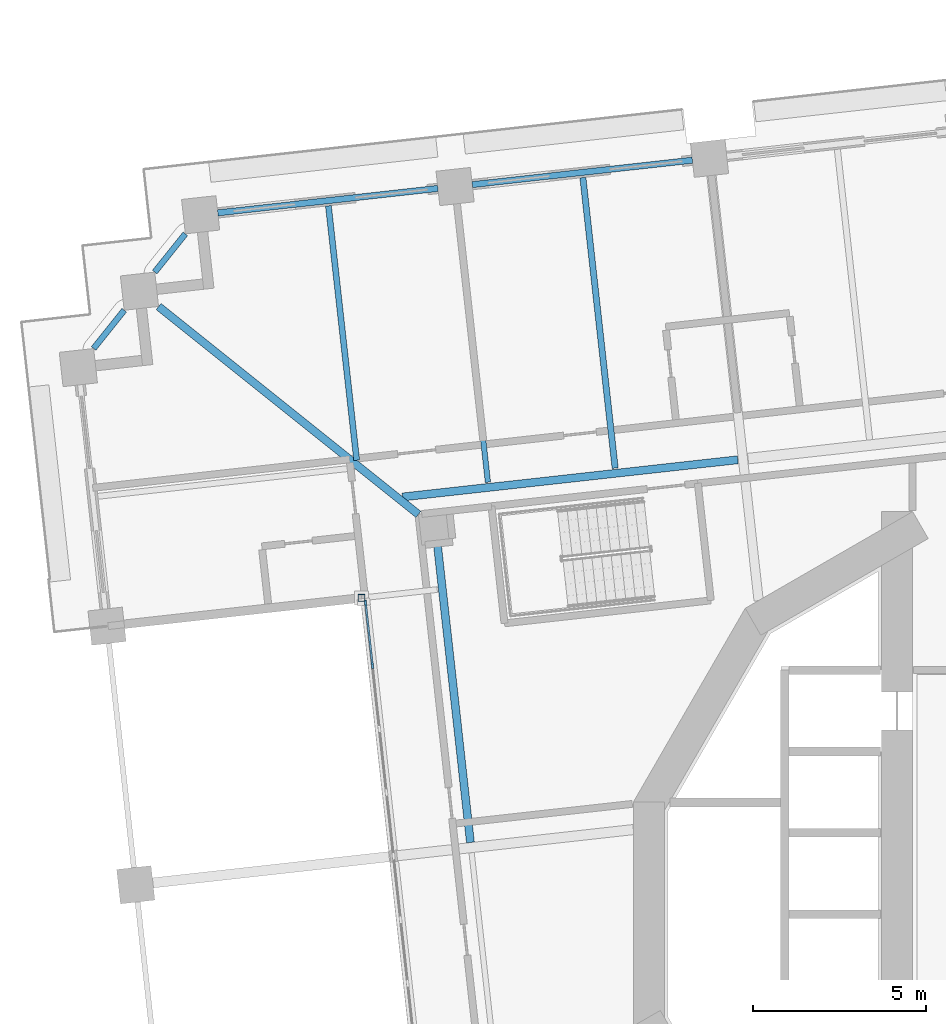
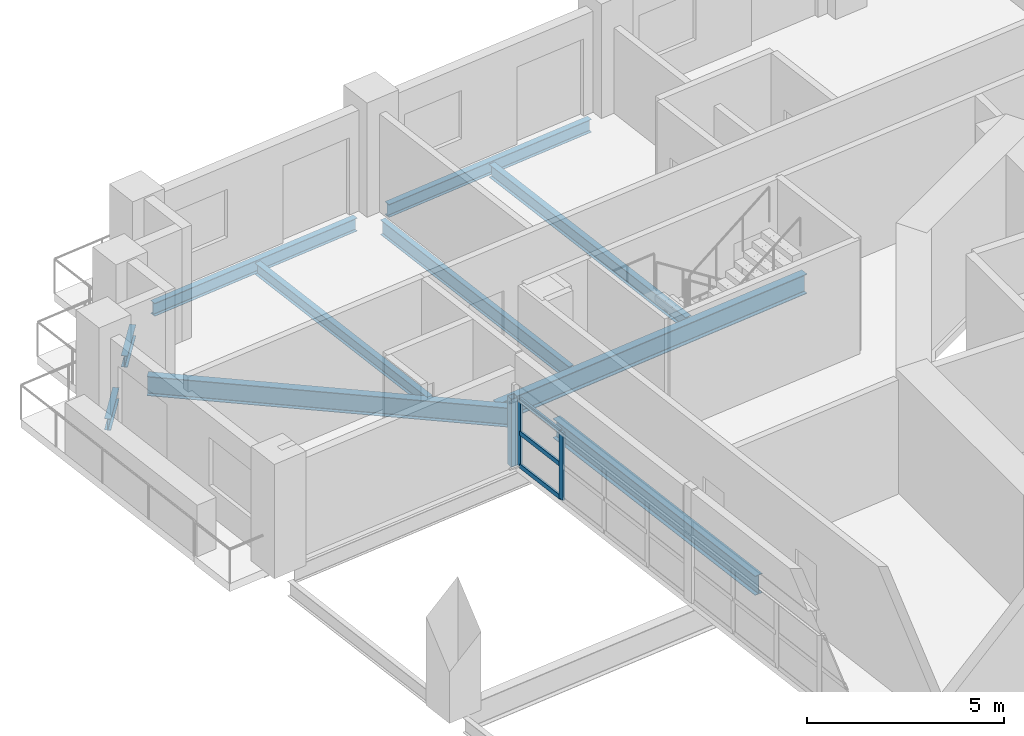
# One storey, part 4 of 21: 10 beams, 6 members, 1 element without a shape of its own.
"""IFC4 building model written with IfcOpenShell, lengths in metres."""

from ifc_helpers import new_model, si_unit, direction, frame, origin, origin_2d, place, context, subcontext, project, spatial, rectangle, hollow_rectangle, i_section, extrude, material, material_profile, profile_set, type_object, element, aggregate, save


model = new_model("IFC4")

# Units and contexts
model_context = context("Model", 3, precision=1e-05, world=origin(), true_north=direction((0.0, 1.0)))
body_context = subcontext(model_context, "Body", "Model", "MODEL_VIEW")
ifc_project = project(units=[si_unit("LENGTHUNIT", "METRE"), si_unit("AREAUNIT", "SQUARE_METRE"), si_unit("VOLUMEUNIT", "CUBIC_METRE"), si_unit("PLANEANGLEUNIT", "RADIAN"), si_unit("MASSUNIT", "GRAM", prefix="KILO")], contexts=[model_context])

# Site, building, storey
site_placement = place(None, origin())
site = spatial("IfcSite", under=ifc_project, at=site_placement, CompositionType="ELEMENT")
building_placement = place(site_placement, origin())
building = spatial("IfcBuilding", under=site, at=building_placement, Name="Cantera Rosa Tower", CompositionType="ELEMENT")
storey_placement = place(building_placement, frame((0.0, 0.0, 69.10009765625)))
storey = spatial("IfcBuildingStorey", under=building, at=storey_placement, Name="L14", CompositionType="ELEMENT", Elevation=69.10009765625)

# Curtain wall, members
ifc_material_1 = material(Name="Aluminium frame with clear glass", Category="aluminium")
curtain_wall_type = type_object("IfcCurtainWallType", Name="CW1 TERRACE POCKET GLAZING", PredefinedType="NOTDEFINED", material=ifc_material_1)
curtain_wall_placement = place(storey_placement, origin())
curtain_wall = element("IfcCurtainWall", 1, at=curtain_wall_placement, inside=storey, type_object=curtain_wall_type, Name="CW1 CW1", PredefinedType="NOTDEFINED")
ifc_material_2 = material(Name="Anodised bronze aluminium", Category="aluminium")
ifc_material_profile_1 = material_profile(ifc_material_2, rectangle(XDim=0.06005859375, YDim=0.179931640625, at=origin_2d()), Name="CW-MULLION 60x180 POCKET")
ifc_profile_set_1 = profile_set([ifc_material_profile_1], Name="Anodised bronze aluminium")
member_type_1 = type_object("IfcMemberType", Name="CW-MULLION 60x180 POCKET", PredefinedType="MULLION", material=ifc_profile_set_1)
member_1_placement = place(storey_placement, frame((-19.81298828125, 8.994140625, 0.0), z_axis=(0.0, 0.0, 1.0), x_axis=(0.993896946417, 0.110312555508, 0.0)))
member_1 = element("IfcMember", 2, at=member_1_placement, type_object=member_type_1, Name="CW1 mullion 1", PredefinedType="MULLION", context=body_context, shape_type="SweptSolid", body=[
    extrude(rectangle(XDim=0.06005859375, YDim=0.179931640625, at=origin_2d()), origin(), (0.0, 0.0, 1.0), 2.10400390625),
])
member_2_placement = place(storey_placement, frame((-19.612548828125, 7.1865234375, 0.0), z_axis=(0.0, 0.0, 1.0), x_axis=(0.993896946417, 0.110312555508, 0.0)))
member_2 = element("IfcMember", 3, at=member_2_placement, type_object=member_type_1, Name="CW1 mullion 2", PredefinedType="MULLION", context=body_context, shape_type="SweptSolid", body=[
    extrude(rectangle(XDim=0.06005859375, YDim=0.179931640625, at=origin_2d()), origin(), (0.0, 0.0, 1.0), 2.10400390625),
])
ifc_material_3 = material(Name="Anodised bronze aluminium", Category="aluminium")
ifc_material_profile_2 = material_profile(ifc_material_3, rectangle(XDim=0.06005859375, YDim=0.139892578125, at=origin_2d()), Name="CW-TRANSOM 60x140 POCKET")
ifc_profile_set_2 = profile_set([ifc_material_profile_2], Name="Anodised bronze aluminium")
member_type_2 = type_object("IfcMemberType", Name="CW-TRANSOM 60x140 POCKET", PredefinedType="USERDEFINED", material=ifc_profile_set_2)
member_3_placement = place(storey_placement, frame((-19.809814453125, 8.96435546875, 0.02978515625), z_axis=(0.110355348566, -0.993892195886, 0.0), x_axis=(0.993892195886, 0.110355348566, 0.0)))
member_3 = element("IfcMember", 4, at=member_3_placement, type_object=member_type_2, Name="CW1 transom 1.1", ObjectType="TRANSOM", PredefinedType="USERDEFINED", context=body_context, shape_type="SweptSolid", body=[
    extrude(rectangle(XDim=0.06005859375, YDim=0.139892578125, at=origin_2d()), origin(), (0.0, 0.0, 1.0), 1.7587890625),
])
member_4_placement = place(storey_placement, frame((-19.809814453125, 8.96435546875, 1.052001953125), z_axis=(0.110355348566, -0.993892195886, 0.0), x_axis=(0.993892195886, 0.110355348566, 0.0)))
member_4 = element("IfcMember", 5, at=member_4_placement, type_object=member_type_2, Name="CW1 transom 1.2", ObjectType="TRANSOM", PredefinedType="USERDEFINED", context=body_context, shape_type="SweptSolid", body=[
    extrude(rectangle(XDim=0.06005859375, YDim=0.139892578125, at=origin_2d()), origin(), (0.0, 0.0, 1.0), 1.7587890625),
])
member_5_placement = place(storey_placement, frame((-19.809814453125, 8.96435546875, 2.073974609375), z_axis=(0.110355348566, -0.993892195886, 0.0), x_axis=(0.993892195886, 0.110355348566, 0.0)))
member_5 = element("IfcMember", 6, at=member_5_placement, type_object=member_type_2, Name="CW1 transom 1.3", ObjectType="TRANSOM", PredefinedType="USERDEFINED", context=body_context, shape_type="SweptSolid", body=[
    extrude(rectangle(XDim=0.06005859375, YDim=0.139892578125, at=origin_2d()), origin(), (0.0, 0.0, 1.0), 1.7587890625),
])
aggregate(curtain_wall, [member_1, member_2, member_3, member_4, member_5])

# Member
ifc_material_4 = material(Name="Steel ASTM A992 (Fy 345 MPa)", Category="steel")
ifc_material_profile_3 = material_profile(ifc_material_4, hollow_rectangle(XDim=0.199951171875, YDim=0.199951171875, WallThickness=0.010009765625, at=origin_2d()), Name="LINTEL POST RHS 200x200x10")
ifc_profile_set_3 = profile_set([ifc_material_profile_3], Name="Steel ASTM A992 (Fy 345 MPa)")
member_type_3 = type_object("IfcMemberType", Name="LINTEL POST RHS 200x200x10", PredefinedType="USERDEFINED", material=ifc_profile_set_3)
member_6_placement = place(storey_placement, frame((-19.9296875, 9.13720703125, 0.0), z_axis=(0.0, 0.0, 1.0), x_axis=(1.0, 0.0, 0.0)))
element("IfcMember", 7, at=member_6_placement, inside=storey, type_object=member_type_3, Name="LINTEL POST L14-1", ObjectType="LINTEL POST", PredefinedType="USERDEFINED", context=body_context, shape_type="SweptSolid", body=[
    extrude(hollow_rectangle(XDim=0.199951171875, YDim=0.199951171875, WallThickness=0.010009765625, at=origin_2d()), origin(), (0.0, 0.0, 1.0), 2.10595703125),
])

# Beams
ifc_material_5 = material(Name="Steel ASTM A992 (Fy 345 MPa)", Category="steel")
ifc_material_profile_4 = material_profile(ifc_material_5, i_section(OverallWidth=0.154052734375, OverallDepth=0.4599609375, WebThickness=0.009033203125, FlangeThickness=0.015380859375, FilletRadius=0.01025390625, at=origin_2d()), Name="W460X68")
ifc_profile_set_4 = profile_set([ifc_material_profile_4], Name="Steel ASTM A992 (Fy 345 MPa)")
beam_type_1 = type_object("IfcBeamType", Name="STEEL BEAM W460X68", PredefinedType="BEAM", material=ifc_profile_set_4)
beam_1_placement = place(storey_placement, frame((-17.169677734375, 20.53125, -0.47998046875), z_axis=(0.110315740112, -0.993896592953, 0.0), x_axis=(0.993896592953, 0.110315740112, 0.0)))
element("IfcBeam", 8, at=beam_1_placement, inside=storey, type_object=beam_type_1, Name="G-Z1-09 L14", PredefinedType="BEAM", context=body_context, shape_type="SweptSolid", body=[
    extrude(i_section(OverallWidth=0.154052734375, OverallDepth=0.4599609375, WebThickness=0.009033203125, FlangeThickness=0.015380859375, FilletRadius=0.01025390625, at=origin_2d()), origin(), (0.0, 0.0, 1.0), 8.099853515625),
])
ifc_material_6 = material(Name="Steel ASTM A992 (Fy 345 MPa)", Category="steel")
ifc_material_profile_5 = material_profile(ifc_material_6, i_section(OverallWidth=0.22802734375, OverallDepth=0.60205078125, WebThickness=0.010498046875, FlangeThickness=0.014892578125, FilletRadius=0.0126953125, at=origin_2d()), Name="W610X101")
ifc_profile_set_5 = profile_set([ifc_material_profile_5], Name="Steel ASTM A992 (Fy 345 MPa)")
beam_type_2 = type_object("IfcBeamType", Name="STEEL BEAM W610X101", PredefinedType="BEAM", material=ifc_profile_set_5)
beam_2_placement = place(storey_placement, frame((-25.794677734375, 17.561767578125, -0.551025390625), z_axis=(0.78078211406, -0.62480340137, 0.0), x_axis=(0.62480340137, 0.78078211406, 0.0)))
element("IfcBeam", 9, at=beam_2_placement, inside=storey, type_object=beam_type_2, Name="CB-Z1-02 L14", PredefinedType="BEAM", context=body_context, shape_type="SweptSolid", body=[
    extrude(i_section(OverallWidth=0.22802734375, OverallDepth=0.60205078125, WebThickness=0.010498046875, FlangeThickness=0.014892578125, FilletRadius=0.0126953125, at=origin_2d()), origin(), (0.0, 0.0, 1.0), 9.61669921875),
])
beam_3_placement = place(storey_placement, frame((-16.781005859375, 2.071533203125, -0.551025390625), z_axis=(-0.110298932846, 0.993898458301, 0.0), x_axis=(-0.993898458301, -0.110298932846, 0.0)))
element("IfcBeam", 10, at=beam_3_placement, inside=storey, type_object=beam_type_2, Name="RB-Z1-12 L14", PredefinedType="BEAM", context=body_context, shape_type="SweptSolid", body=[
    extrude(i_section(OverallWidth=0.22802734375, OverallDepth=0.60205078125, WebThickness=0.010498046875, FlangeThickness=0.014892578125, FilletRadius=0.0126953125, at=origin_2d()), origin(), (0.0, 0.0, 1.0), 8.68994140625),
])
ifc_material_7 = material(Name="Steel ASTM A992 (Fy 345 MPa)", Category="steel")
ifc_material_profile_6 = material_profile(ifc_material_7, i_section(OverallWidth=0.22900390625, OverallDepth=0.612060546875, WebThickness=0.011962890625, FlangeThickness=0.01953125, FilletRadius=0.0126953125, at=origin_2d()), Name="W610X125")
ifc_profile_set_6 = profile_set([ifc_material_profile_6], Name="Steel ASTM A992 (Fy 345 MPa)")
beam_type_3 = type_object("IfcBeamType", Name="STEEL BEAM W610X125", PredefinedType="BEAM", material=ifc_profile_set_6)
beam_4_placement = place(storey_placement, frame((-18.744384765625, 12.055908203125, -0.55615234375), z_axis=(0.993898383269, 0.110299608956, 0.0), x_axis=(-0.110299608956, 0.993898383269, 0.0)))
element("IfcBeam", 11, at=beam_4_placement, inside=storey, type_object=beam_type_3, Name="RB-Z1-01 L14", PredefinedType="BEAM", context=body_context, shape_type="SweptSolid", body=[
    extrude(i_section(OverallWidth=0.22900390625, OverallDepth=0.612060546875, WebThickness=0.011962890625, FlangeThickness=0.01953125, FilletRadius=0.0126953125, at=origin_2d()), origin(), (0.0, 0.0, 1.0), 9.750244140625),
])
ifc_material_8 = material(Name="Steel ASTM A992 (Fy 345 MPa)", Category="steel")
ifc_material_profile_7 = material_profile(ifc_material_8, i_section(OverallWidth=0.1708984375, OverallDepth=0.35595703125, WebThickness=0.00732421875, FlangeThickness=0.01171875, FilletRadius=0.010009765625, at=origin_2d()), Name="W360X51")
ifc_profile_set_7 = profile_set([ifc_material_profile_7], Name="Steel ASTM A992 (Fy 345 MPa)")
beam_type_4 = type_object("IfcBeamType", Name="STEEL JOIST W360X51", PredefinedType="JOIST", material=ifc_profile_set_7)
beam_5_placement = place(storey_placement, frame((-20.8857421875, 20.470947265625, -0.427978515625), z_axis=(0.110326513132, -0.993895397162, 0.0), x_axis=(0.993895397162, 0.110326513132, 0.0)))
element("IfcBeam", 12, at=beam_5_placement, inside=storey, type_object=beam_type_4, Name="B-Z1-11 L14", PredefinedType="JOIST", context=body_context, shape_type="SweptSolid", body=[
    extrude(i_section(OverallWidth=0.1708984375, OverallDepth=0.35595703125, WebThickness=0.00732421875, FlangeThickness=0.01171875, FilletRadius=0.010009765625, at=origin_2d()), origin(), (0.0, 0.0, 1.0), 7.39990234375),
])
ifc_material_9 = material(Name="Steel ASTM A992 (Fy 345 MPa)", Category="steel")
ifc_material_profile_8 = material_profile(ifc_material_9, i_section(OverallWidth=0.177978515625, OverallDepth=0.406005859375, WebThickness=0.0078125, FlangeThickness=0.0126953125, FilletRadius=0.01025390625, at=origin_2d()), Name="W410X60")
ifc_profile_set_8 = profile_set([ifc_material_profile_8], Name="Steel ASTM A992 (Fy 345 MPa)")
beam_type_5 = type_object("IfcBeamType", Name="STEEL JOIST W410X60", PredefinedType="JOIST", material=ifc_profile_set_8)
beam_6_placement = place(storey_placement, frame((-13.53076171875, 21.287353515625, -0.453125), z_axis=(0.110311022989, -0.99389711651, 0.0), x_axis=(0.99389711651, 0.110311022989, 0.0)))
element("IfcBeam", 13, at=beam_6_placement, inside=storey, type_object=beam_type_5, Name="B-Z1-10 L14", PredefinedType="JOIST", context=body_context, shape_type="SweptSolid", body=[
    extrude(i_section(OverallWidth=0.177978515625, OverallDepth=0.406005859375, WebThickness=0.0078125, FlangeThickness=0.0126953125, FilletRadius=0.01025390625, at=origin_2d()), origin(), (0.0, 0.0, 1.0), 8.449951171875),
])
ifc_material_10 = material(Name="Steel ASTM A992 (Fy 345 MPa)", Category="steel")
ifc_material_profile_9 = material_profile(ifc_material_10, i_section(OverallWidth=0.1708984375, OverallDepth=0.35595703125, WebThickness=0.00732421875, FlangeThickness=0.01171875, FilletRadius=0.010009765625, at=origin_2d()), Name="W360X51")
ifc_profile_set_9 = profile_set([ifc_material_profile_9], Name="Steel ASTM A992 (Fy 345 MPa)")
beam_type_6 = type_object("IfcBeamType", Name="STEEL SPANDREL BEAM W360X51", PredefinedType="SPANDREL", material=ifc_profile_set_9)
for number, where, z_axis, x_axis, name in (
    (14, (-25.021484375, 19.659912109375, -0.427978515625), (-0.624758203863, -0.780818280208, 0.0), (0.780818280208, -0.624758203863, 0.0), "EB-Z1-14 L14"),
    (15, (-26.78857421875, 17.451416015625, -0.427978515625), (-0.624758203863, -0.780818280208, 0.0), (0.780818280208, -0.624758203863, 0.0), "EB-Z1-15 L14"),
):
    element("IfcBeam", number, at=place(storey_placement, frame(where, z_axis=z_axis, x_axis=x_axis)), inside=storey, type_object=beam_type_6, Name=name, PredefinedType="SPANDREL", context=body_context, shape_type="SweptSolid", body=[
        extrude(i_section(OverallWidth=0.1708984375, OverallDepth=0.35595703125, WebThickness=0.00732421875, FlangeThickness=0.01171875, FilletRadius=0.010009765625, at=origin_2d()), origin(), (0.0, 0.0, 1.0), 1.414306640625),
    ])
ifc_material_11 = material(Name="Steel ASTM A992 (Fy 345 MPa)", Category="steel")
ifc_material_profile_10 = material_profile(ifc_material_11, i_section(OverallWidth=0.177978515625, OverallDepth=0.406005859375, WebThickness=0.0078125, FlangeThickness=0.0126953125, FilletRadius=0.01025390625, at=origin_2d()), Name="W410X60")
ifc_profile_set_10 = profile_set([ifc_material_profile_10], Name="Steel ASTM A992 (Fy 345 MPa)")
beam_type_7 = type_object("IfcBeamType", Name="STEEL SPANDREL BEAM W410X60", PredefinedType="SPANDREL", material=ifc_profile_set_10)
beam_7_placement = place(storey_placement, frame((-10.366943359375, 21.789306640625, -0.453125), z_axis=(-0.993900006422, -0.110284981906, 0.0), x_axis=(0.110284981906, -0.993900006422, 0.0)))
element("IfcBeam", 16, at=beam_7_placement, inside=storey, type_object=beam_type_7, Name="EB-Z1-12 L14", PredefinedType="SPANDREL", context=body_context, shape_type="SweptSolid", body=[
    extrude(i_section(OverallWidth=0.177978515625, OverallDepth=0.406005859375, WebThickness=0.0078125, FlangeThickness=0.0126953125, FilletRadius=0.01025390625, at=origin_2d()), origin(), (0.0, 0.0, 1.0), 6.39990234375),
])
beam_8_placement = place(storey_placement, frame((-17.7216796875, 20.97314453125, -0.453125), z_axis=(-0.993896288542, -0.110318482689, 0.0), x_axis=(0.110318482689, -0.993896288542, 0.0)))
element("IfcBeam", 17, at=beam_8_placement, inside=storey, type_object=beam_type_7, Name="EB-Z1-13 L14", PredefinedType="SPANDREL", context=body_context, shape_type="SweptSolid", body=[
    extrude(i_section(OverallWidth=0.177978515625, OverallDepth=0.406005859375, WebThickness=0.0078125, FlangeThickness=0.0126953125, FilletRadius=0.01025390625, at=origin_2d()), origin(), (0.0, 0.0, 1.0), 6.400146484375),
])

save(model, "model.ifc")
